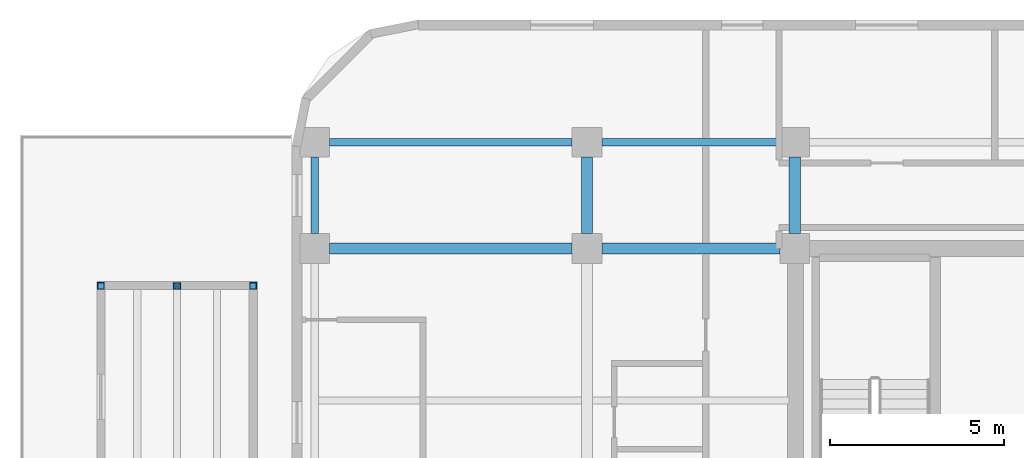
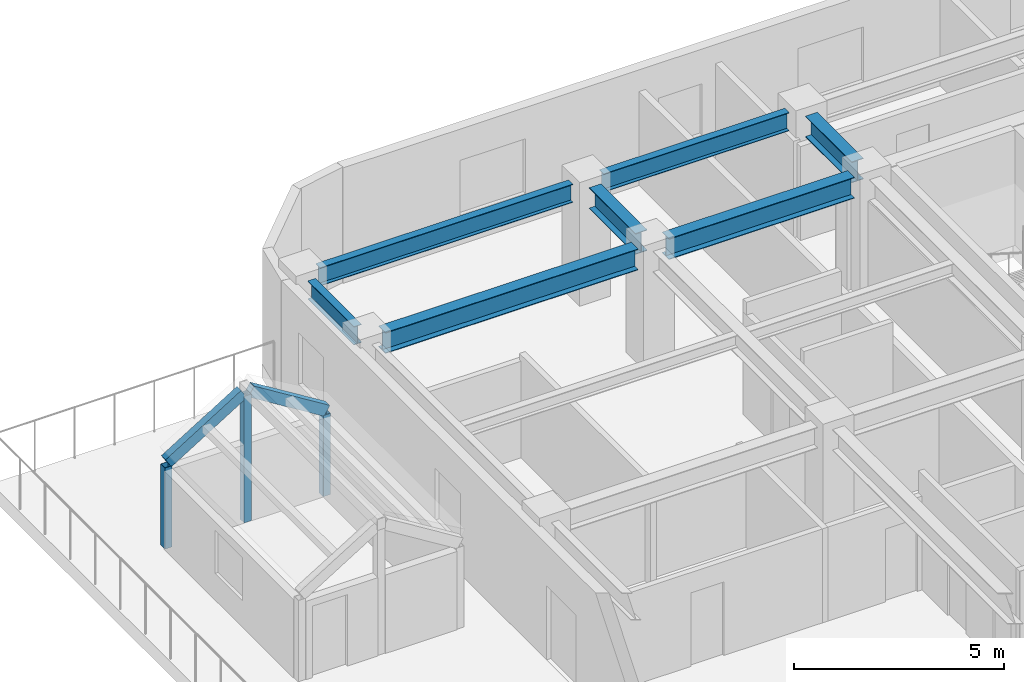
# One storey, part 6 of 19: 7 beams, 5 members.
"""IFC4 building model written with IfcOpenShell, lengths in metres."""

import ifcopenshell
import ifcopenshell.guid

model = None  # the IFC model being written
_history = None  # IfcOwnerHistory: only IFC2X3 demands one
_inside = {}  # id of a spatial element -> (the spatial element, [elements in it])
_under = {}  # id of a project, library or spatial element -> (it, [spatial elements below it])
_declared = {}  # id of a project -> (the project, [libraries it declares])
_typed = {}  # id of a type object -> (the type object, [elements of that type])
_made_of = {}  # id of a material, layer set ... -> (it, [elements and type objects made of it])


def new_model(schema):
    """Start an empty IFC model of exactly this schema.

    Asked for "IFC4X3", IfcOpenShell would pick the latest addendum, in which some entities
    have other attributes; the version numbers below select the first issue.
    IFC2X3 requires an IfcOwnerHistory on every rooted entity: one is made here for all.
    """
    global model, _history
    if schema == "IFC4X3":
        model = ifcopenshell.file(schema_version=(4, 3, 0, 0))
    else:
        model = ifcopenshell.file(schema=schema)
    _inside.clear()
    _under.clear()
    _declared.clear()
    _typed.clear()
    _made_of.clear()
    _history = None
    if model.schema == "IFC2X3":
        org = make("IfcOrganization", Name="unknown")
        user = make(
            "IfcPersonAndOrganization",
            ThePerson=make("IfcPerson", FamilyName="unknown"),
            TheOrganization=org,
        )
        app = make(
            "IfcApplication",
            ApplicationDeveloper=org,
            Version="unknown",
            ApplicationFullName="unknown",
            ApplicationIdentifier="unknown",
        )
        _history = make(
            "IfcOwnerHistory",
            OwningUser=user,
            OwningApplication=app,
            ChangeAction="ADDED",
            CreationDate=0,
        )
    return model


def make(cls, **values):
    """One entity of the class cls with the attributes given. An attribute that is None is left unset."""
    return model.create_entity(
        cls, **{name: value for name, value in values.items() if value is not None}
    )


def rooted(cls, **values):
    """An entity with a GlobalId (a new one), such as an element, a storey or a relation."""
    return make(cls, GlobalId=ifcopenshell.guid.new(), OwnerHistory=_history, **values)


def si_unit(unit_type, name, prefix=None):
    """IfcSIUnit, for example si_unit("LENGTHUNIT", "METRE", prefix="MILLI")."""
    return make("IfcSIUnit", UnitType=unit_type, Prefix=prefix, Name=name)


def assignment(units):
    """IfcUnitAssignment: the units of a project."""
    return None if units is None else make("IfcUnitAssignment", Units=units)


def point(xyz):
    """IfcCartesianPoint."""
    return None if xyz is None else make("IfcCartesianPoint", Coordinates=xyz)


def direction(xyz):
    """IfcDirection."""
    return None if xyz is None else make("IfcDirection", DirectionRatios=xyz)


def frame(location, z_axis=None, x_axis=None):
    """IfcAxis2Placement3D, a coordinate frame: its origin and axes. An axis left out is left unset."""
    return make(
        "IfcAxis2Placement3D",
        Location=point(location),
        Axis=direction(z_axis),
        RefDirection=direction(x_axis),
    )


def frame_2d(location, x_axis=None):
    """IfcAxis2Placement2D, a coordinate frame in the plane: its origin and x axis."""
    return make(
        "IfcAxis2Placement2D", Location=point(location), RefDirection=direction(x_axis)
    )


def origin():
    """The frame at (0, 0, 0) with its axes left unset."""
    return frame((0.0, 0.0, 0.0))


def origin_2d():
    """The frame at (0, 0) in the plane with its x axis left unset."""
    return frame_2d((0.0, 0.0))


def place(relative_to, where):
    """IfcLocalPlacement: puts the frame where relative to a parent placement (None: the world)."""
    return make(
        "IfcLocalPlacement", PlacementRelTo=relative_to, RelativePlacement=where
    )


def context(
    kind, dimensions, precision=None, world=None, true_north=None, identifier=None
):
    """IfcGeometricRepresentationContext, for example the 3D "Model" context."""
    return make(
        "IfcGeometricRepresentationContext",
        ContextIdentifier=identifier,
        ContextType=kind,
        CoordinateSpaceDimension=dimensions,
        Precision=precision,
        WorldCoordinateSystem=world,
        TrueNorth=true_north,
    )


def subcontext(parent, identifier, kind, view, scale=None):
    """IfcGeometricRepresentationSubContext, for example "Body" below "Model"."""
    return make(
        "IfcGeometricRepresentationSubContext",
        ContextIdentifier=identifier,
        ContextType=kind,
        ParentContext=parent,
        TargetScale=scale,
        TargetView=view,
    )


def project(units=None, contexts=None):
    """IfcProject with its units and contexts."""
    return rooted(
        "IfcProject",
        Name="project",
        RepresentationContexts=contexts,
        UnitsInContext=assignment(units),
    )


def spatial(cls, under=None, at=None, **own):
    """A site, building, storey or space (cls), placed at a placement, below another one or the project."""
    s = rooted(cls, ObjectPlacement=at, **own)
    if under is not None:
        _under.setdefault(under.id(), (under, []))[1].append(s)
    return s


def profile(cls, at=None, kind="AREA", **sizes):
    """A parametric profile (cls). Its sizes go by their IFC names, for example OverallWidth=200.0."""
    return make(cls, ProfileType=kind, Position=at, **sizes)


def hollow_rectangle(**sizes):
    """IfcRectangleHollowProfileDef."""
    return profile("IfcRectangleHollowProfileDef", **sizes)


def i_section(**sizes):
    """IfcIShapeProfileDef."""
    return profile("IfcIShapeProfileDef", **sizes)


def extrude(swept, where, along, depth):
    """IfcExtrudedAreaSolid: the profile swept, set in the frame where, extruded along a direction by depth."""
    return make(
        "IfcExtrudedAreaSolid",
        SweptArea=swept,
        Position=where,
        ExtrudedDirection=direction(along),
        Depth=depth,
    )


def shape(context_of_items, identifier, shape_type, items):
    """IfcShapeRepresentation: the items that make up one representation, for example the "Body"."""
    return make(
        "IfcShapeRepresentation",
        ContextOfItems=context_of_items,
        RepresentationIdentifier=identifier,
        RepresentationType=shape_type,
        Items=items,
    )


def material(Name=None, Category=None):
    """IfcMaterial."""
    return make("IfcMaterial", Name=Name, Category=Category)


def material_profile(
    of_material, cross_section, Name=None, Category=None, Priority=None
):
    """IfcMaterialProfile: a cross section and its material."""
    return make(
        "IfcMaterialProfile",
        Name=Name,
        Material=of_material,
        Profile=cross_section,
        Priority=Priority,
        Category=Category,
    )


def profile_set(profiles, Name=None, composite=None):
    """IfcMaterialProfileSet."""
    return make(
        "IfcMaterialProfileSet",
        Name=Name,
        MaterialProfiles=profiles,
        CompositeProfile=composite,
    )


def made_of(thing, what):
    """Note that an element or type object is made of a material, layer set ...; save() writes the relation."""
    if what is not None:
        _made_of.setdefault(what.id(), (what, []))[1].append(thing)
    return thing


def type_object(cls, material=None, **own):
    """A type object (cls), such as IfcWallType, which elements share."""
    return made_of(rooted(cls, **own), material)


def element(
    cls,
    number,
    at=None,
    inside=None,
    cuts=None,
    type_object=None,
    material=None,
    context=None,
    identifier="Body",
    shape_type=None,
    held_by="IfcProductDefinitionShape",
    body=None,
    shapes=None,
    **own,
):
    """One element of the class cls, such as IfcWall. Its Tag is "e" and its number.

    at: its placement. inside: the storey or other place that contains it. cuts: it is an
    opening in that element (IfcRelVoidsElement). A single representation is given by context,
    identifier, shape_type and body (its items); several are given by shapes. held_by: the class
    of the entity that holds the representations. save() writes the other relations.
    """
    e = rooted(cls, Tag="e%d" % number, ObjectPlacement=at, **own)
    if body is not None:
        shapes = [shape(context, identifier, shape_type, body)]
    if shapes is not None:
        e.Representation = make(held_by, Representations=shapes)
    if inside is not None:
        _inside.setdefault(inside.id(), (inside, []))[1].append(e)
    if cuts is not None:
        rooted(
            "IfcRelVoidsElement", RelatingBuildingElement=cuts, RelatedOpeningElement=e
        )
    if type_object is not None:
        _typed.setdefault(type_object.id(), (type_object, []))[1].append(e)
    return made_of(e, material)


def aggregate(whole, parts):
    """IfcRelAggregates: a whole, such as a stair, and the parts it consists of."""
    return rooted("IfcRelAggregates", RelatingObject=whole, RelatedObjects=parts)


def save(model, path):
    """Write the relations noted so far, then the file.

    IfcRelAggregates (storeys below a building ...), IfcRelContainedInSpatialStructure (elements
    in a storey), IfcRelDefinesByType, IfcRelAssociatesMaterial and IfcRelDeclares: one each for
    every whole, place, type object, material and project.
    """
    for whole, parts in _under.values():
        aggregate(whole, parts)
    for where, things in _inside.values():
        rooted(
            "IfcRelContainedInSpatialStructure",
            RelatedElements=things,
            RelatingStructure=where,
        )
    for kind, things in _typed.values():
        rooted("IfcRelDefinesByType", RelatedObjects=things, RelatingType=kind)
    for what, things in _made_of.values():
        rooted("IfcRelAssociatesMaterial", RelatedObjects=things, RelatingMaterial=what)
    for by, libraries in _declared.values():
        rooted("IfcRelDeclares", RelatingContext=by, RelatedDefinitions=libraries)
    model.write(path)


model = new_model("IFC4")

# Units and contexts
model_context = context("Model", 3, precision=1e-05, world=origin(), true_north=direction((0.0, 1.0)))
body_context = subcontext(model_context, "Body", "Model", "MODEL_VIEW")
ifc_project = project(units=[si_unit("LENGTHUNIT", "METRE"), si_unit("AREAUNIT", "SQUARE_METRE"), si_unit("VOLUMEUNIT", "CUBIC_METRE"), si_unit("PLANEANGLEUNIT", "RADIAN"), si_unit("MASSUNIT", "GRAM", prefix="KILO")], contexts=[model_context])

# Site, building, storey
site_placement = place(None, origin())
site = spatial("IfcSite", under=ifc_project, at=site_placement, CompositionType="ELEMENT")
building_placement = place(site_placement, origin())
building = spatial("IfcBuilding", under=site, at=building_placement, Name="Ochreholt Gables", CompositionType="ELEMENT")
storey_placement = place(building_placement, frame((0.0, 0.0, 76.800048828125)))
storey = spatial("IfcBuildingStorey", under=building, at=storey_placement, Name="L19", CompositionType="ELEMENT", Elevation=76.800048828125)

# Beams
ifc_material = material(Name="Steel CSA G40.21 350W", Category="steel")
ifc_material_profile_1 = material_profile(ifc_material, i_section(OverallWidth=0.323974609375, OverallDepth=0.611083984375, WebThickness=0.0126953125, FlangeThickness=0.01904296875, at=origin_2d()), Name="W610X155")
ifc_profile_set_1 = profile_set([ifc_material_profile_1], Name="Steel CSA G40.21 350W")
beam_type_1 = type_object("IfcBeamType", Name="BM-G-W610A", PredefinedType="BEAM", material=ifc_profile_set_1)
beam_1_placement = place(storey_placement, frame((10.87451171875, 38.75, 3.054443359375), z_axis=(1.0, 0.0, 0.0), x_axis=(0.0, 1.0, 0.0)))
element("IfcBeam", 1, at=beam_1_placement, inside=storey, type_object=beam_type_1, Name="L19 Beam TBG-L19-W2W3-Y5", PredefinedType="BEAM", context=body_context, shape_type="SweptSolid", body=[
    extrude(i_section(OverallWidth=0.323974609375, OverallDepth=0.611083984375, WebThickness=0.0126953125, FlangeThickness=0.01904296875, at=origin_2d()), origin(), (0.0, 0.0, 1.0), 6.950927734375),
])
beam_2_placement = place(storey_placement, frame((18.674560546875, 38.75, 3.054443359375), z_axis=(1.0, 0.0, 0.0), x_axis=(0.0, 1.0, 0.0)))
element("IfcBeam", 2, at=beam_2_placement, inside=storey, type_object=beam_type_1, Name="L19 Beam TBG-L19-W3C1-Y5", PredefinedType="BEAM", context=body_context, shape_type="SweptSolid", body=[
    extrude(i_section(OverallWidth=0.323974609375, OverallDepth=0.611083984375, WebThickness=0.0126953125, FlangeThickness=0.01904296875, at=origin_2d()), origin(), (0.0, 0.0, 1.0), 5.100830078125),
])
for number, where, z_axis, x_axis, name in (
    (3, (18.25, 39.174560546875, 3.054443359375), (0.0, 1.0, 0.0), (-1.0, 0.0, 0.0), "L19 Beam TBN-L19-W3-Y5Y6"),
    (4, (24.199951171875, 39.174560546875, 3.054443359375), (0.0, 1.0, 0.0), (-1.0, 0.0, 0.0), "L19 Beam TBN-L19-C1-Y5Y6"),
):
    element("IfcBeam", number, at=place(storey_placement, frame(where, z_axis=z_axis, x_axis=x_axis)), inside=storey, type_object=beam_type_1, Name=name, PredefinedType="BEAM", context=body_context, shape_type="SweptSolid", body=[
        extrude(i_section(OverallWidth=0.323974609375, OverallDepth=0.611083984375, WebThickness=0.0126953125, FlangeThickness=0.01904296875, at=origin_2d()), origin(), (0.0, 0.0, 1.0), 2.200927734375),
    ])
ifc_material_profile_2 = material_profile(ifc_material, i_section(OverallWidth=0.208984375, OverallDepth=0.532958984375, WebThickness=0.01025390625, FlangeThickness=0.015625, at=origin_2d()), Name="W530X92")
ifc_profile_set_2 = profile_set([ifc_material_profile_2], Name="Steel CSA G40.21 350W")
beam_type_2 = type_object("IfcBeamType", Name="BM-SP-W530B", PredefinedType="SPANDREL", material=ifc_profile_set_2)
beam_3_placement = place(storey_placement, frame((10.87451171875, 41.800048828125, 3.093505859375), z_axis=(1.0, 0.0, 0.0), x_axis=(0.0, 1.0, 0.0)))
element("IfcBeam", 5, at=beam_3_placement, inside=storey, type_object=beam_type_2, Name="L19 Beam TBG-L19-W2W3-Y6", PredefinedType="SPANDREL", context=body_context, shape_type="SweptSolid", body=[
    extrude(i_section(OverallWidth=0.208984375, OverallDepth=0.532958984375, WebThickness=0.01025390625, FlangeThickness=0.015625, at=origin_2d()), origin(), (0.0, 0.0, 1.0), 6.950927734375),
])
beam_4_placement = place(storey_placement, frame((18.674560546875, 41.800048828125, 3.093505859375), z_axis=(1.0, 0.0, 0.0), x_axis=(0.0, 1.0, 0.0)))
element("IfcBeam", 6, at=beam_4_placement, inside=storey, type_object=beam_type_2, Name="L19 Beam TBG-L19-W3C1-Y6", PredefinedType="SPANDREL", context=body_context, shape_type="SweptSolid", body=[
    extrude(i_section(OverallWidth=0.208984375, OverallDepth=0.532958984375, WebThickness=0.01025390625, FlangeThickness=0.015625, at=origin_2d()), origin(), (0.0, 0.0, 1.0), 5.100830078125),
])
beam_5_placement = place(storey_placement, frame((10.449951171875, 39.174560546875, 3.093505859375), z_axis=(0.0, 1.0, 0.0), x_axis=(-1.0, 0.0, 0.0)))
element("IfcBeam", 7, at=beam_5_placement, inside=storey, type_object=beam_type_2, Name="L19 Beam TBN-L19-W2-Y5Y6", PredefinedType="SPANDREL", context=body_context, shape_type="SweptSolid", body=[
    extrude(i_section(OverallWidth=0.208984375, OverallDepth=0.532958984375, WebThickness=0.01025390625, FlangeThickness=0.015625, at=origin_2d()), origin(), (0.0, 0.0, 1.0), 2.200927734375),
])

# Members
ifc_material_profile_3 = material_profile(ifc_material, hollow_rectangle(XDim=0.202880859375, YDim=0.202880859375, WallThickness=0.009521484375, at=origin_2d()), Name="HSS203X203X10")
ifc_profile_set_3 = profile_set([ifc_material_profile_3], Name="Steel CSA G40.21 350W")
member_type_1 = type_object("IfcMemberType", Name="MEM-GB-PT2", PredefinedType="POST", material=ifc_profile_set_3)
for number, where, z_axis, x_axis, name in (
    (8, (8.679931640625, 37.679931640625, 0.0), (0.0, 0.0, 1.0), (1.0, 0.0, 0.0), "L19 Gable Pavilion Post GB-19W2-P3"),
    (9, (4.320068359375, 37.679931640625, 0.0), (0.0, 0.0, 1.0), (1.0, 0.0, 0.0), "L19 Gable Pavilion Post GB-19W2-P4"),
):
    element("IfcMember", number, at=place(storey_placement, frame(where, z_axis=z_axis, x_axis=x_axis)), inside=storey, type_object=member_type_1, Name=name, PredefinedType="POST", context=body_context, shape_type="SweptSolid", body=[
        extrude(hollow_rectangle(XDim=0.202880859375, YDim=0.202880859375, WallThickness=0.009521484375, at=origin_2d()), origin(), (0.0, 0.0, 1.0), 2.361572265625),
    ])
member_placement = place(storey_placement, frame((6.5, 37.679931640625, 0.0), z_axis=(0.0, 0.0, 1.0), x_axis=(1.0, 0.0, 0.0)))
element("IfcMember", 10, at=member_placement, inside=storey, type_object=member_type_1, Name="L19 Gable Ridge Post GB-19W2-PRG2", PredefinedType="POST", context=body_context, shape_type="SweptSolid", body=[
    extrude(hollow_rectangle(XDim=0.202880859375, YDim=0.202880859375, WallThickness=0.009521484375, at=origin_2d()), origin(), (0.0, 0.0, 1.0), 3.680419921875),
])
ifc_material_profile_4 = material_profile(ifc_material, hollow_rectangle(XDim=0.202880859375, YDim=0.304931640625, WallThickness=0.0126953125, at=origin_2d()), Name="HSS305X203X13")
ifc_profile_set_4 = profile_set([ifc_material_profile_4], Name="Steel CSA G40.21 350W")
member_type_2 = type_object("IfcMemberType", Name="MEM-GB-RF1", PredefinedType="RAFTER", material=ifc_profile_set_4)
for number, where, z_axis, x_axis, name in (
    (11, (4.320068359375, 37.679931640625, 2.46484375), (0.850139585687, 0.0, 0.52655738989), (0.0, 1.0, 0.0), "L19 Gable West Rafter 2 GB-19W2"),
    (12, (8.679931640625, 37.679931640625, 2.46484375), (-0.850139585687, 0.0, 0.52655738989), (0.0, -1.0, 0.0), "L19 Gable East Rafter 2 GB-19W2"),
):
    element("IfcMember", number, at=place(storey_placement, frame(where, z_axis=z_axis, x_axis=x_axis)), inside=storey, type_object=member_type_2, Name=name, PredefinedType="RAFTER", context=body_context, shape_type="SweptSolid", body=[
        extrude(hollow_rectangle(XDim=0.202880859375, YDim=0.304931640625, WallThickness=0.0126953125, at=origin_2d()), origin(), (0.0, 0.0, 1.0), 2.4453125),
    ])

save(model, "model.ifc")
